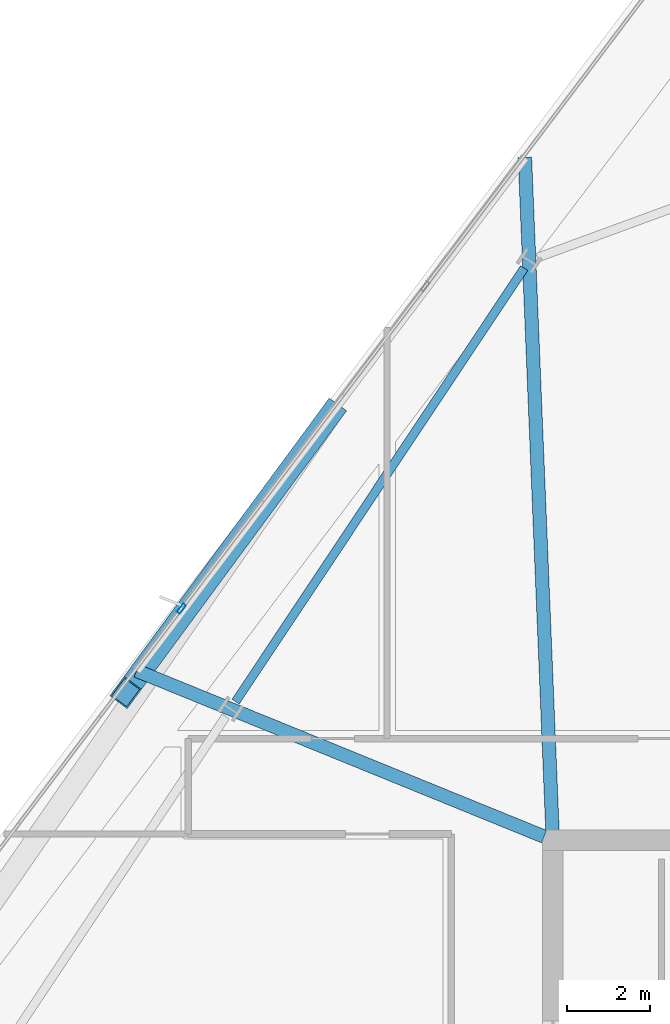
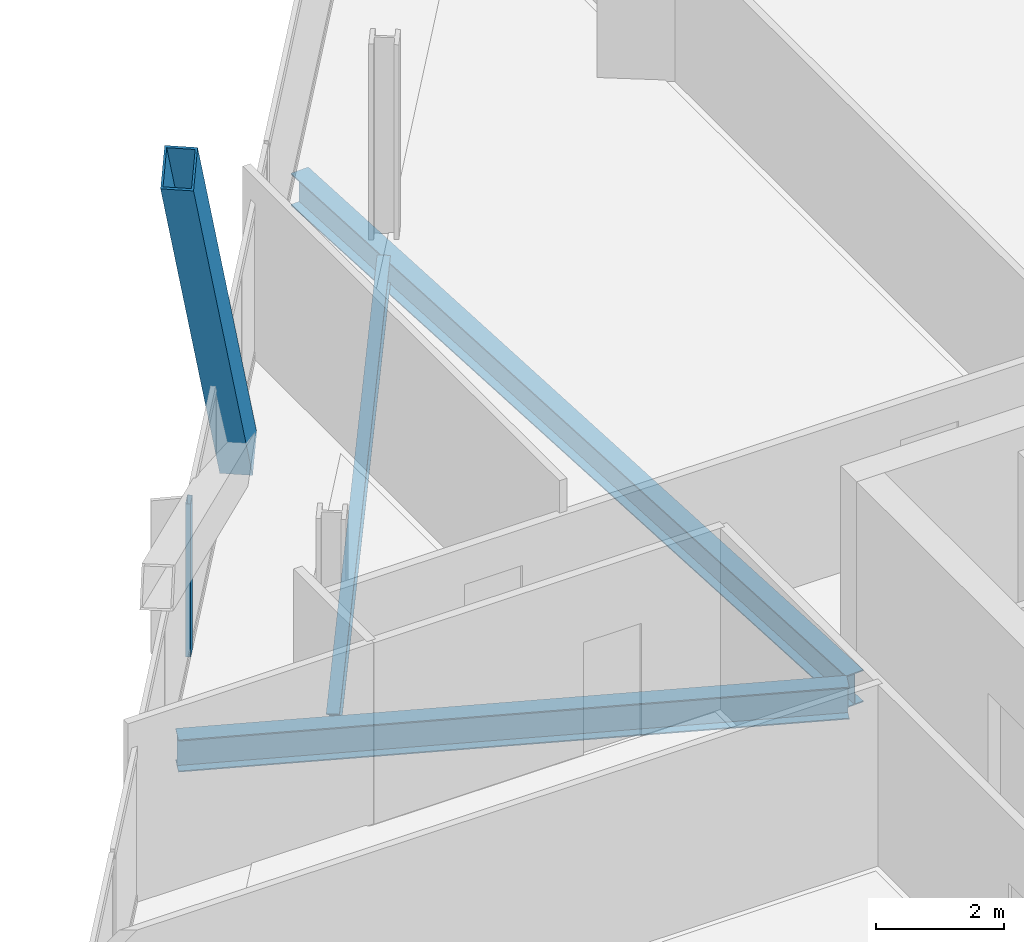
# One storey, part 18 of 34: 3 beams, 2 members, 1 element without a shape of its own.
"""IFC4 building model written with IfcOpenShell, lengths in metres."""

from ifc_helpers import new_model, si_unit, direction, frame, origin, origin_2d, place, context, subcontext, project, spatial, hollow_rectangle, i_section, extrude, material, material_profile, profile_set, type_object, element, aggregate, save


model = new_model("IFC4")

# Units and contexts
model_context = context("Model", 3, precision=1e-05, world=origin(), true_north=direction((0.0, 1.0)))
body_context = subcontext(model_context, "Body", "Model", "MODEL_VIEW")
ifc_project = project(units=[si_unit("LENGTHUNIT", "METRE"), si_unit("AREAUNIT", "SQUARE_METRE"), si_unit("VOLUMEUNIT", "CUBIC_METRE"), si_unit("PLANEANGLEUNIT", "RADIAN"), si_unit("MASSUNIT", "GRAM", prefix="KILO")], contexts=[model_context])

# Site, building, storey
site_placement = place(None, origin())
site = spatial("IfcSite", under=ifc_project, at=site_placement, CompositionType="ELEMENT")
building_placement = place(site_placement, origin())
building = spatial("IfcBuilding", under=site, at=building_placement, Name="Haldenkirk Collegiate Tower", CompositionType="ELEMENT")
storey_placement = place(building_placement, frame((0.0, 0.0, 205.949951171875)))
storey = spatial("IfcBuildingStorey", under=building, at=storey_placement, Name="L51", CompositionType="ELEMENT", Elevation=205.949951171875)

# Beams
ifc_material_1 = material(Name="Steel ASTM A992 Grade 50", Category="steel")
ifc_material_profile_1 = material_profile(ifc_material_1, i_section(OverallWidth=0.324951171875, OverallDepth=0.615966796875, WebThickness=0.013916015625, FlangeThickness=0.021484375, at=origin_2d()), Name="W24X117")
ifc_profile_set_1 = profile_set([ifc_material_profile_1], Name="Steel ASTM A992 Grade 50")
beam_type_1 = type_object("IfcBeamType", Name="BM-GIRDER-W24X117", PredefinedType="BEAM", material=ifc_profile_set_1)
beam_1_placement = place(storey_placement, frame((26.32568359375, 50.4755859375, -0.587890625), z_axis=(0.040886689799, -0.999163789675, 0.0), x_axis=(0.999163789675, 0.040886689799, 0.0)))
element("IfcBeam", 1, at=beam_1_placement, inside=storey, type_object=beam_type_1, Name="L51 primary floor girder 11", PredefinedType="BEAM", context=body_context, shape_type="SweptSolid", body=[
    extrude(i_section(OverallWidth=0.324951171875, OverallDepth=0.615966796875, WebThickness=0.013916015625, FlangeThickness=0.021484375, at=origin_2d()), origin(), (0.0, 0.0, 1.0), 16.259521484375),
])
beam_2_placement = place(storey_placement, frame((16.9580078125, 38.089111328125, -0.587890625), z_axis=(0.926158435942, -0.377134659683, 0.0), x_axis=(0.377134659683, 0.926158435942, 0.0)))
element("IfcBeam", 2, at=beam_2_placement, inside=storey, type_object=beam_type_1, Name="L51 primary floor girder 12", PredefinedType="BEAM", context=body_context, shape_type="SweptSolid", body=[
    extrude(i_section(OverallWidth=0.324951171875, OverallDepth=0.615966796875, WebThickness=0.013916015625, FlangeThickness=0.021484375, at=origin_2d()), origin(), (0.0, 0.0, 1.0), 10.61279296875),
])
ifc_material_profile_2 = material_profile(ifc_material_1, i_section(OverallWidth=0.2099609375, OverallDepth=0.537109375, WebThickness=0.010986328125, FlangeThickness=0.017333984375, at=origin_2d()), Name="W21X68")
ifc_profile_set_2 = profile_set([ifc_material_profile_2], Name="Steel ASTM A992 Grade 50")
beam_type_2 = type_object("IfcBeamType", Name="BM-SPANDREL-W21X68", PredefinedType="SPANDREL", material=ifc_profile_set_2)
beam_3_placement = place(storey_placement, frame((26.3076171875, 47.80322265625, -0.54833984375), z_axis=(-0.554125989098, -0.832432813028, 0.0), x_axis=(0.832432813028, -0.554125989098, 0.0)))
element("IfcBeam", 3, at=beam_3_placement, inside=storey, type_object=beam_type_2, Name="L51 perimeter spandrel beam 10", PredefinedType="SPANDREL", context=body_context, shape_type="SweptSolid", body=[
    extrude(i_section(OverallWidth=0.2099609375, OverallDepth=0.537109375, WebThickness=0.010986328125, FlangeThickness=0.017333984375, at=origin_2d()), origin(), (0.0, 0.0, 1.0), 12.56201171875),
])

# Curtain wall, member
ifc_material_2 = material(Name="Anodised architectural bronze aluminium", Category="aluminium")
curtain_wall_type = type_object("IfcCurtainWallType", Name="CW-SYS1B-CONVEX-HI", PredefinedType="USERDEFINED", material=ifc_material_2)
curtain_wall_placement = place(storey_placement, origin())
curtain_wall = element("IfcCurtainWall", 4, at=curtain_wall_placement, inside=storey, type_object=curtain_wall_type, Name="L51 Upper tower high-wind convex bronze unitised curtain wall", ObjectType="UNITISED CURTAIN WALL", PredefinedType="USERDEFINED")
ifc_material_profile_3 = material_profile(ifc_material_2, hollow_rectangle(XDim=0.0849609375, YDim=0.25, WallThickness=0.0048828125, at=origin_2d()), Name="CW-MUL-1B")
ifc_profile_set_3 = profile_set([ifc_material_profile_3], Name="Anodised architectural bronze aluminium")
member_type_1 = type_object("IfcMemberType", Name="CW-MUL-1B", PredefinedType="MULLION", material=ifc_profile_set_3)
member_1_placement = place(storey_placement, frame((18.038330078125, 39.584228515625, 0.0), z_axis=(0.0, 0.0, 1.0), x_axis=(-0.797584320771, 0.6032074695, 0.0)))
member_1 = element("IfcMember", 5, at=member_1_placement, type_object=member_type_1, Name="CW-1B mullion 3", PredefinedType="MULLION", context=body_context, shape_type="SweptSolid", body=[
    extrude(hollow_rectangle(XDim=0.0849609375, YDim=0.25, WallThickness=0.0048828125, at=origin_2d()), origin(), (0.0, 0.0, 1.0), 2.927978515625),
])
aggregate(curtain_wall, [member_1])

# Member
ifc_material_3 = material(Name="Steel ASTM A572 Grade 50", Category="steel")
ifc_material_profile_4 = material_profile(ifc_material_3, hollow_rectangle(XDim=0.52001953125, YDim=0.719970703125, WallThickness=0.035888671875, at=origin_2d()), Name="BOX720X520X36")
ifc_profile_set_4 = profile_set([ifc_material_profile_4], Name="Steel ASTM A572 Grade 50")
member_type_2 = type_object("IfcMemberType", Name="MBR-MEGABRACE-BOX720X520X36", PredefinedType="BRACE", material=ifc_profile_set_4)
member_2_placement = place(storey_placement, frame((21.641845703125, 44.282470703125, -0.2900390625), z_axis=(-0.353370359578, -0.479712245476, 0.803122375801), x_axis=(0.805137441785, -0.593088273223, 0.0)))
element("IfcMember", 6, at=member_2_placement, inside=storey, type_object=member_type_2, Name="Perimeter Mega Brace Z4 L51-L53 NL", PredefinedType="BRACE", context=body_context, shape_type="SweptSolid", body=[
    extrude(hollow_rectangle(XDim=0.52001953125, YDim=0.719970703125, WallThickness=0.035888671875, at=origin_2d()), origin(), (0.0, 0.0, 1.0), 14.0078125),
])

save(model, "model.ifc")
